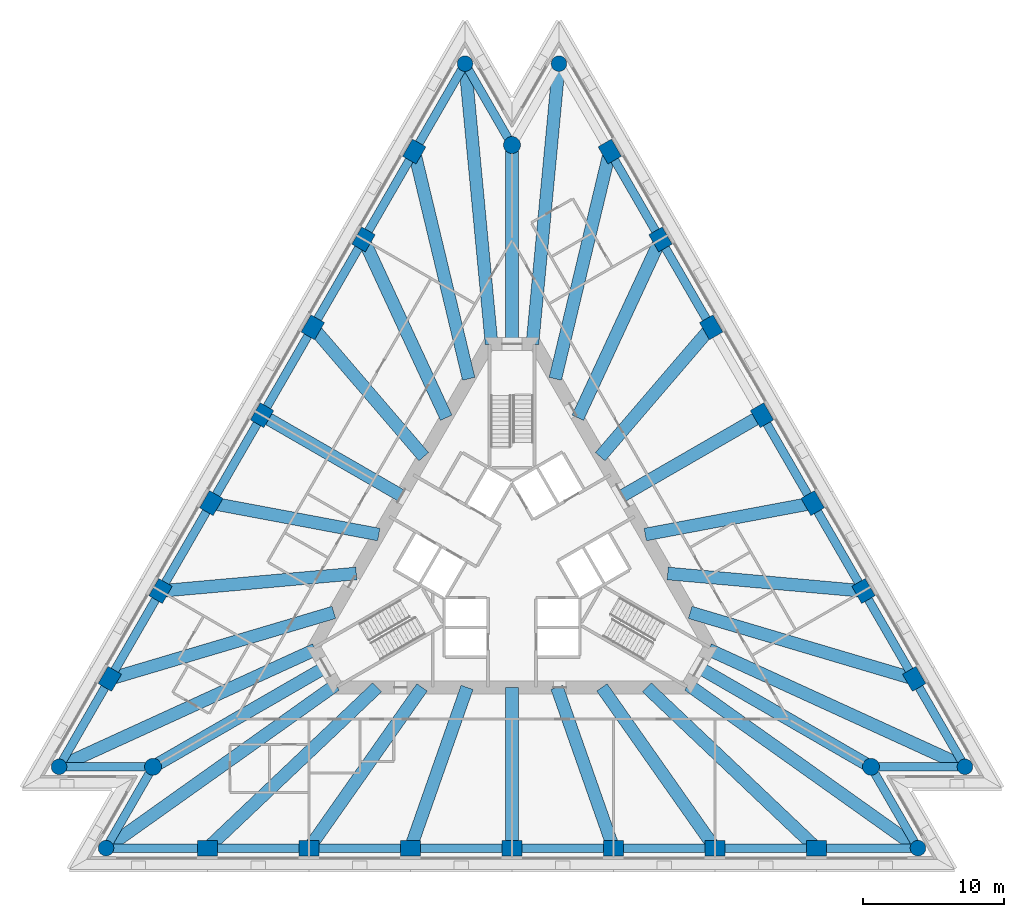
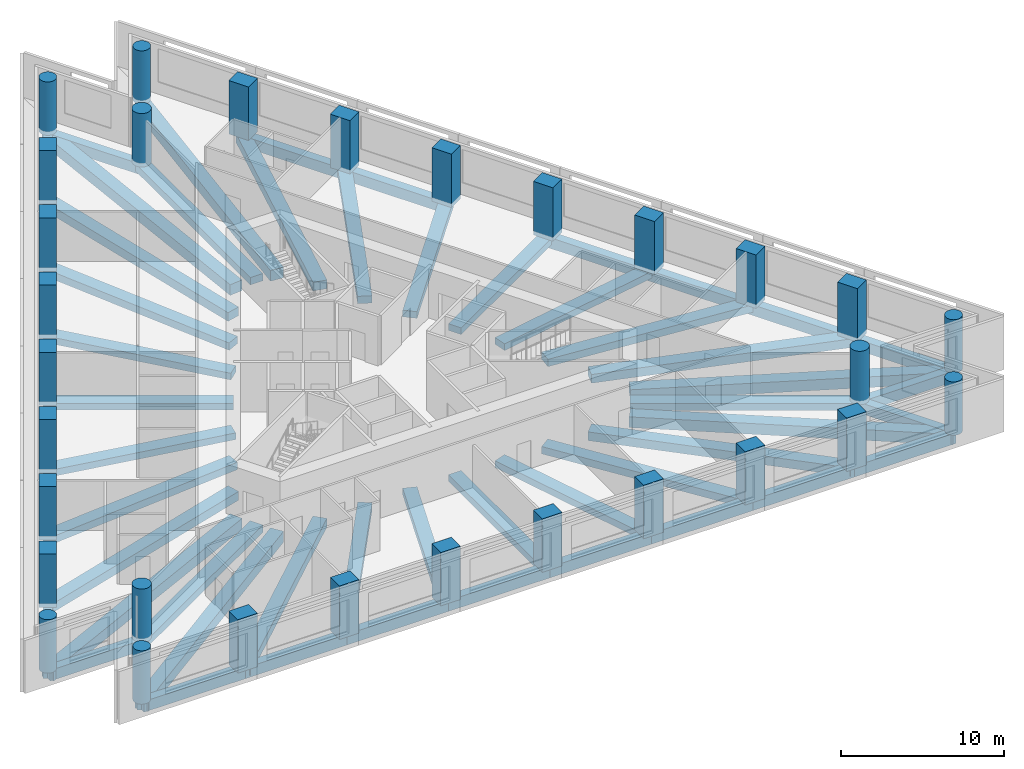
# One storey, part 1 of 11: 57 beams, 30 columns.
"""IFC4 building model written with IfcOpenShell, lengths in metres."""

from ifc_helpers import new_model, si_unit, direction, frame, origin, origin_2d, place, context, subcontext, project, spatial, rectangle, circle, extrude, material, material_profile, profile_set, type_object, element, save


model = new_model("IFC4")

# Units and contexts
model_context = context("Model", 3, precision=1e-05, world=origin(), true_north=direction((0.0, 1.0)))
body_context = subcontext(model_context, "Body", "Model", "MODEL_VIEW")
ifc_project = project(units=[si_unit("LENGTHUNIT", "METRE"), si_unit("AREAUNIT", "SQUARE_METRE"), si_unit("VOLUMEUNIT", "CUBIC_METRE"), si_unit("PLANEANGLEUNIT", "RADIAN"), si_unit("MASSUNIT", "GRAM", prefix="KILO")], contexts=[model_context])

# Site, building, storey
site_placement = place(None, origin())
site = spatial("IfcSite", under=ifc_project, at=site_placement, CompositionType="ELEMENT")
building_placement = place(site_placement, origin())
building = spatial("IfcBuilding", under=site, at=building_placement, Name="Triada Interchange Tower", CompositionType="ELEMENT")
storey_placement = place(building_placement, frame((0.0, 0.0, 83.300048828125)))
storey = spatial("IfcBuildingStorey", under=building, at=storey_placement, Name="L18", CompositionType="ELEMENT", Elevation=83.300048828125)

# Columns
ifc_material_1 = material(Name="Concrete C70/85", Category="concrete")
ifc_material_profile_1 = material_profile(ifc_material_1, rectangle(XDim=1.39990234375, YDim=1.10009765625, at=origin_2d()), Name="RC 1400x1100")
ifc_profile_set_1 = profile_set([ifc_material_profile_1], Name="Concrete C70/85")
column_type_1 = type_object("IfcColumnType", Name="Column A face RC 1400x1100", PredefinedType="COLUMN", material=ifc_profile_set_1)
for number, where, z_axis, x_axis, name in (
    (1, (-6.9169921875, 28.8779296875, -0.300048828125), (0.0, 0.0, 1.0), (0.5, 0.866025403784, 0.0), "Column CA02 L18"),
    (2, (-10.508056640625, 22.656982421875, -0.300048828125), (0.0, 0.0, 1.0), (0.5, 0.866025403784, 0.0), "Column CA03 L18"),
    (3, (-14.10009765625, 16.43603515625, -0.300048828125), (0.0, 0.0, 1.0), (0.5, 0.866025403784, 0.0), "Column CA04 L18"),
    (4, (-17.69189453125, 10.214111328125, -0.300048828125), (0.0, 0.0, 1.0), (0.5, 0.866025403784, 0.0), "Column CA05 L18"),
    (5, (-21.283935546875, 3.992919921875, -0.300048828125), (0.0, 0.0, 1.0), (0.5, 0.866025403784, 0.0), "Column CA06 L18"),
    (6, (-24.8759765625, -2.22802734375, -0.300048828125), (0.0, 0.0, 1.0), (0.5, 0.866025403784, 0.0), "Column CA07 L18"),
    (7, (-28.467041015625, -8.448974609375, -0.300048828125), (0.0, 0.0, 1.0), (0.5, 0.866025403784, 0.0), "Column CA08 L18"),
    (8, (-21.550048828125, -20.428955078125, -0.300048828125), (0.0, 0.0, 1.0), (1.0, 0.0, 0.0), "Column CA11 L18"),
    (9, (-14.366943359375, -20.428955078125, -0.300048828125), (0.0, 0.0, 1.0), (1.0, 0.0, 0.0), "Column CA12 L18"),
    (10, (-7.18408203125, -20.428955078125, -0.300048828125), (0.0, 0.0, 1.0), (1.0, 0.0, 0.0), "Column CA13 L18"),
    (11, (0.0, -20.428955078125, -0.300048828125), (0.0, 0.0, 1.0), (1.0, 0.0, 0.0), "Column CA14 L18"),
    (12, (7.18408203125, -20.428955078125, -0.300048828125), (0.0, 0.0, 1.0), (1.0, 0.0, 0.0), "Column CA15 L18"),
    (13, (14.366943359375, -20.428955078125, -0.300048828125), (0.0, 0.0, 1.0), (1.0, 0.0, 0.0), "Column CA16 L18"),
    (14, (21.550048828125, -20.428955078125, -0.300048828125), (0.0, 0.0, 1.0), (1.0, 0.0, 0.0), "Column CA17 L18"),
    (15, (28.467041015625, -8.448974609375, -0.300048828125), (0.0, 0.0, 1.0), (-0.5, 0.866025403784, 0.0), "Column CA20 L18"),
    (16, (24.8759765625, -2.22802734375, -0.300048828125), (0.0, 0.0, 1.0), (-0.5, 0.866025403784, 0.0), "Column CA21 L18"),
    (17, (21.283935546875, 3.992919921875, -0.300048828125), (0.0, 0.0, 1.0), (-0.5, 0.866025403784, 0.0), "Column CA22 L18"),
    (18, (17.69189453125, 10.214111328125, -0.300048828125), (0.0, 0.0, 1.0), (-0.5, 0.866025403784, 0.0), "Column CA23 L18"),
    (19, (14.10009765625, 16.43603515625, -0.300048828125), (0.0, 0.0, 1.0), (-0.5, 0.866025403784, 0.0), "Column CA24 L18"),
    (20, (10.508056640625, 22.656982421875, -0.300048828125), (0.0, 0.0, 1.0), (-0.5, 0.866025403784, 0.0), "Column CA25 L18"),
    (21, (6.9169921875, 28.8779296875, -0.300048828125), (0.0, 0.0, 1.0), (-0.5, 0.866025403784, 0.0), "Column CA26 L18"),
):
    element("IfcColumn", number, at=place(storey_placement, frame(where, z_axis=z_axis, x_axis=x_axis)), inside=storey, type_object=column_type_1, Name=name, PredefinedType="COLUMN", context=body_context, shape_type="SweptSolid", body=[
        extrude(rectangle(XDim=1.39990234375, YDim=1.10009765625, at=origin_2d()), origin(), (0.0, 0.0, 1.0), 4.0),
    ])
ifc_material_profile_2 = material_profile(ifc_material_1, circle(Radius=0.550048828125, at=origin_2d()), Name="RC D1100")
ifc_profile_set_2 = profile_set([ifc_material_profile_2], Name="Concrete C70/85")
column_type_2 = type_object("IfcColumnType", Name="End column A RC D1100", PredefinedType="COLUMN", material=ifc_profile_set_2)
for number, where, z_axis, x_axis, name in (
    (22, (-3.324951171875, 35.09912109375, -0.300048828125), (0.0, 0.0, 1.0), (0.5, 0.866025403784, 0.0), "Column CA01 L18"),
    (23, (-32.05908203125, -14.669921875, -0.300048828125), (0.0, 0.0, 1.0), (0.5, 0.866025403784, 0.0), "Column CA09 L18"),
    (24, (-28.73388671875, -20.428955078125, -0.300048828125), (0.0, 0.0, 1.0), (1.0, 0.0, 0.0), "Column CA10 L18"),
    (25, (28.73388671875, -20.428955078125, -0.300048828125), (0.0, 0.0, 1.0), (1.0, 0.0, 0.0), "Column CA18 L18"),
    (26, (32.05908203125, -14.669921875, -0.300048828125), (0.0, 0.0, 1.0), (-0.5, 0.866025403784, 0.0), "Column CA19 L18"),
    (27, (3.324951171875, 35.09912109375, -0.300048828125), (0.0, 0.0, 1.0), (-0.5, 0.866025403784, 0.0), "Column CA27 L18"),
):
    element("IfcColumn", number, at=place(storey_placement, frame(where, z_axis=z_axis, x_axis=x_axis)), inside=storey, type_object=column_type_2, Name=name, PredefinedType="COLUMN", context=body_context, shape_type="SweptSolid", body=[
        extrude(circle(Radius=0.550048828125, at=origin_2d()), origin(), (0.0, 0.0, 1.0), 4.0),
    ])
ifc_material_profile_3 = material_profile(ifc_material_1, circle(Radius=0.60009765625, at=origin_2d()), Name="RC D1200")
ifc_profile_set_3 = profile_set([ifc_material_profile_3], Name="Concrete C70/85")
column_type_3 = type_object("IfcColumnType", Name="Mega column A RC D1200", PredefinedType="COLUMN", material=ifc_profile_set_3)
for number, where, z_axis, x_axis, name in (
    (28, (0.0, 29.340087890625, -0.300048828125), (0.0, 0.0, 1.0), (1.0, 0.0, 0.0), "Column MA1 L18"),
    (29, (-25.408935546875, -14.669921875, -0.300048828125), (0.0, 0.0, 1.0), (1.0, 0.0, 0.0), "Column MA2 L18"),
    (30, (25.408935546875, -14.669921875, -0.300048828125), (0.0, 0.0, 1.0), (1.0, 0.0, 0.0), "Column MA3 L18"),
):
    element("IfcColumn", number, at=place(storey_placement, frame(where, z_axis=z_axis, x_axis=x_axis)), inside=storey, type_object=column_type_3, Name=name, PredefinedType="COLUMN", context=body_context, shape_type="SweptSolid", body=[
        extrude(circle(Radius=0.60009765625, at=origin_2d()), origin(), (0.0, 0.0, 1.0), 4.0),
    ])

# Beams
ifc_material_2 = material(Name="Concrete C50/60", Category="concrete")
ifc_material_profile_4 = material_profile(ifc_material_2, rectangle(XDim=0.89990234375, YDim=0.5, at=origin_2d()), Name="RC 900x500")
ifc_profile_set_4 = profile_set([ifc_material_profile_4], Name="Concrete C50/60")
beam_type_1 = type_object("IfcBeamType", Name="Radial band beam A RC 900x500", PredefinedType="BEAM", material=ifc_profile_set_4)
beam_1_placement = place(storey_placement, frame((-14.10009765625, 16.43603515625, -0.550048828125), z_axis=(0.651118009222, -0.758976506927, 0.0), x_axis=(0.758976506927, 0.651118009222, 0.0)))
element("IfcBeam", 31, at=beam_1_placement, inside=storey, type_object=beam_type_1, Name="Radial band beam BA04 L18", PredefinedType="BEAM", context=body_context, shape_type="SweptSolid", body=[
    extrude(rectangle(XDim=0.89990234375, YDim=0.5, at=origin_2d()), origin(), (0.0, 0.0, 1.0), 12.062255859375),
])
beam_2_placement = place(storey_placement, frame((-17.69189453125, 10.214111328125, -0.550048828125), z_axis=(0.866025511234, -0.499999813892, 0.0), x_axis=(0.499999813892, 0.866025511234, 0.0)))
element("IfcBeam", 32, at=beam_2_placement, inside=storey, type_object=beam_type_1, Name="Radial band beam BA05 L18", PredefinedType="BEAM", context=body_context, shape_type="SweptSolid", body=[
    extrude(rectangle(XDim=0.89990234375, YDim=0.5, at=origin_2d()), origin(), (0.0, 0.0, 1.0), 11.37841796875),
])
beam_3_placement = place(storey_placement, frame((-21.283935546875, 3.992919921875, -0.550048828125), z_axis=(0.982856143277, -0.184374080669, 0.0), x_axis=(0.184374080669, 0.982856143277, 0.0)))
element("IfcBeam", 33, at=beam_3_placement, inside=storey, type_object=beam_type_1, Name="Radial band beam BA06 L18", PredefinedType="BEAM", context=body_context, shape_type="SweptSolid", body=[
    extrude(rectangle(XDim=0.89990234375, YDim=0.5, at=origin_2d()), origin(), (0.0, 0.0, 1.0), 12.061767578125),
])
beam_4_placement = place(storey_placement, frame((-7.18408203125, -20.428955078125, -0.550048828125), z_axis=(0.33179614562, 0.943351110537, 0.0), x_axis=(-0.943351110537, 0.33179614562, 0.0)))
element("IfcBeam", 34, at=beam_4_placement, inside=storey, type_object=beam_type_1, Name="Radial band beam BA14 L18", PredefinedType="BEAM", context=body_context, shape_type="SweptSolid", body=[
    extrude(rectangle(XDim=0.89990234375, YDim=0.5, at=origin_2d()), origin(), (0.0, 0.0, 1.0), 12.062255859375),
])
beam_5_placement = place(storey_placement, frame((0.0, -20.428955078125, -0.550048828125), z_axis=(0.0, 1.0, 0.0), x_axis=(-1.0, 0.0, 0.0)))
element("IfcBeam", 35, at=beam_5_placement, inside=storey, type_object=beam_type_1, Name="Radial band beam BA15 L18", PredefinedType="BEAM", context=body_context, shape_type="SweptSolid", body=[
    extrude(rectangle(XDim=0.89990234375, YDim=0.5, at=origin_2d()), origin(), (0.0, 0.0, 1.0), 11.37890625),
])
beam_6_placement = place(storey_placement, frame((7.18408203125, -20.428955078125, -0.550048828125), z_axis=(-0.33179614562, 0.943351110537, 0.0), x_axis=(-0.943351110537, -0.33179614562, 0.0)))
element("IfcBeam", 36, at=beam_6_placement, inside=storey, type_object=beam_type_1, Name="Radial band beam BA16 L18", PredefinedType="BEAM", context=body_context, shape_type="SweptSolid", body=[
    extrude(rectangle(XDim=0.89990234375, YDim=0.5, at=origin_2d()), origin(), (0.0, 0.0, 1.0), 12.062255859375),
])
beam_7_placement = place(storey_placement, frame((21.283935546875, 3.992919921875, -0.550048828125), z_axis=(-0.982856143277, -0.184374080669, 0.0), x_axis=(0.184374080669, -0.982856143277, 0.0)))
element("IfcBeam", 37, at=beam_7_placement, inside=storey, type_object=beam_type_1, Name="Radial band beam BA24 L18", PredefinedType="BEAM", context=body_context, shape_type="SweptSolid", body=[
    extrude(rectangle(XDim=0.89990234375, YDim=0.5, at=origin_2d()), origin(), (0.0, 0.0, 1.0), 12.061767578125),
])
beam_8_placement = place(storey_placement, frame((17.69189453125, 10.214111328125, -0.550048828125), z_axis=(-0.866025511234, -0.499999813892, 0.0), x_axis=(0.499999813892, -0.866025511234, 0.0)))
element("IfcBeam", 38, at=beam_8_placement, inside=storey, type_object=beam_type_1, Name="Radial band beam BA25 L18", PredefinedType="BEAM", context=body_context, shape_type="SweptSolid", body=[
    extrude(rectangle(XDim=0.89990234375, YDim=0.5, at=origin_2d()), origin(), (0.0, 0.0, 1.0), 11.37841796875),
])
beam_9_placement = place(storey_placement, frame((14.10009765625, 16.43603515625, -0.550048828125), z_axis=(-0.651118009222, -0.758976506927, 0.0), x_axis=(0.758976506927, -0.651118009222, 0.0)))
element("IfcBeam", 39, at=beam_9_placement, inside=storey, type_object=beam_type_1, Name="Radial band beam BA26 L18", PredefinedType="BEAM", context=body_context, shape_type="SweptSolid", body=[
    extrude(rectangle(XDim=0.89990234375, YDim=0.5, at=origin_2d()), origin(), (0.0, 0.0, 1.0), 12.062255859375),
])
ifc_material_profile_5 = material_profile(ifc_material_2, rectangle(XDim=0.89990234375, YDim=0.550048828125, at=origin_2d()), Name="RC 900x550")
ifc_profile_set_5 = profile_set([ifc_material_profile_5], Name="Concrete C50/60")
beam_type_2 = type_object("IfcBeamType", Name="Radial band beam A RC 900x550", PredefinedType="BEAM", material=ifc_profile_set_5)
beam_10_placement = place(storey_placement, frame((-10.508056640625, 22.656982421875, -0.574951171875), z_axis=(0.420744654852, -0.907179108783, 0.0), x_axis=(0.907179108783, 0.420744654852, 0.0)))
element("IfcBeam", 40, at=beam_10_placement, inside=storey, type_object=beam_type_2, Name="Radial band beam BA03 L18", PredefinedType="BEAM", context=body_context, shape_type="SweptSolid", body=[
    extrude(rectangle(XDim=0.89990234375, YDim=0.550048828125, at=origin_2d()), origin(), (0.0, 0.0, 1.0), 13.9111328125),
])
beam_11_placement = place(storey_placement, frame((-24.8759765625, -2.22802734375, -0.574951171875), z_axis=(0.996013294925, 0.089204912043, 0.0), x_axis=(-0.089204912043, 0.996013294925, 0.0)))
element("IfcBeam", 41, at=beam_11_placement, inside=storey, type_object=beam_type_2, Name="Radial band beam BA07 L18", PredefinedType="BEAM", context=body_context, shape_type="SweptSolid", body=[
    extrude(rectangle(XDim=0.89990234375, YDim=0.550048828125, at=origin_2d()), origin(), (0.0, 0.0, 1.0), 13.911376953125),
])
beam_12_placement = place(storey_placement, frame((-25.408935546875, -14.669921875, -0.574951171875), z_axis=(0.866020820126, 0.500007939045, 0.0), x_axis=(-0.500007939045, 0.866020820126, 0.0)))
element("IfcBeam", 42, at=beam_12_placement, inside=storey, type_object=beam_type_2, Name="Radial band beam BA10 L18", PredefinedType="BEAM", context=body_context, shape_type="SweptSolid", body=[
    extrude(rectangle(XDim=0.89990234375, YDim=0.550048828125, at=origin_2d()), origin(), (0.0, 0.0, 1.0), 14.089599609375),
])
for number, where, z_axis, x_axis, name in (
    (43, (-14.366943359375, -20.428955078125, -0.574951171875), (0.575232535811, 0.817989932545, 0.0), (-0.817989932545, 0.575232535811, 0.0), "Radial band beam BA13 L18"),
    (44, (14.366943359375, -20.428955078125, -0.574951171875), (-0.575232535811, 0.817989932545, 0.0), (-0.817989932545, -0.575232535811, 0.0), "Radial band beam BA17 L18"),
):
    element("IfcBeam", number, at=place(storey_placement, frame(where, z_axis=z_axis, x_axis=x_axis)), inside=storey, type_object=beam_type_2, Name=name, PredefinedType="BEAM", context=body_context, shape_type="SweptSolid", body=[
        extrude(rectangle(XDim=0.89990234375, YDim=0.550048828125, at=origin_2d()), origin(), (0.0, 0.0, 1.0), 13.910888671875),
    ])
beam_13_placement = place(storey_placement, frame((25.408935546875, -14.669921875, -0.574951171875), z_axis=(-0.866020820126, 0.500007939045, 0.0), x_axis=(-0.500007939045, -0.866020820126, 0.0)))
element("IfcBeam", 45, at=beam_13_placement, inside=storey, type_object=beam_type_2, Name="Radial band beam BA20 L18", PredefinedType="BEAM", context=body_context, shape_type="SweptSolid", body=[
    extrude(rectangle(XDim=0.89990234375, YDim=0.550048828125, at=origin_2d()), origin(), (0.0, 0.0, 1.0), 14.089599609375),
])
beam_14_placement = place(storey_placement, frame((24.8759765625, -2.22802734375, -0.574951171875), z_axis=(-0.996013294925, 0.089204912043, 0.0), x_axis=(-0.089204912043, -0.996013294925, 0.0)))
element("IfcBeam", 46, at=beam_14_placement, inside=storey, type_object=beam_type_2, Name="Radial band beam BA23 L18", PredefinedType="BEAM", context=body_context, shape_type="SweptSolid", body=[
    extrude(rectangle(XDim=0.89990234375, YDim=0.550048828125, at=origin_2d()), origin(), (0.0, 0.0, 1.0), 13.911376953125),
])
beam_15_placement = place(storey_placement, frame((10.508056640625, 22.656982421875, -0.574951171875), z_axis=(-0.420744654852, -0.907179108783, 0.0), x_axis=(0.907179108783, -0.420744654852, 0.0)))
element("IfcBeam", 47, at=beam_15_placement, inside=storey, type_object=beam_type_2, Name="Radial band beam BA27 L18", PredefinedType="BEAM", context=body_context, shape_type="SweptSolid", body=[
    extrude(rectangle(XDim=0.89990234375, YDim=0.550048828125, at=origin_2d()), origin(), (0.0, 0.0, 1.0), 13.9111328125),
])
beam_16_placement = place(storey_placement, frame((0.0, 29.340087890625, -0.574951171875), z_axis=(0.0, -1.0, 0.0), x_axis=(1.0, 0.0, 0.0)))
element("IfcBeam", 48, at=beam_16_placement, inside=storey, type_object=beam_type_2, Name="Radial band beam BA30 L18", PredefinedType="BEAM", context=body_context, shape_type="SweptSolid", body=[
    extrude(rectangle(XDim=0.89990234375, YDim=0.550048828125, at=origin_2d()), origin(), (0.0, 0.0, 1.0), 14.090087890625),
])
ifc_material_profile_6 = material_profile(ifc_material_2, rectangle(XDim=0.89990234375, YDim=0.64990234375, at=origin_2d()), Name="RC 900x650")
ifc_profile_set_6 = profile_set([ifc_material_profile_6], Name="Concrete C50/60")
beam_type_3 = type_object("IfcBeamType", Name="Radial band beam A RC 900x650", PredefinedType="BEAM", material=ifc_profile_set_6)
beam_17_placement = place(storey_placement, frame((-6.9169921875, 28.8779296875, -0.625), z_axis=(0.232938621419, -0.972491438858, 0.0), x_axis=(0.972491438858, 0.232938621419, 0.0)))
element("IfcBeam", 49, at=beam_17_placement, inside=storey, type_object=beam_type_3, Name="Radial band beam BA02 L18", PredefinedType="BEAM", context=body_context, shape_type="SweptSolid", body=[
    extrude(rectangle(XDim=0.89990234375, YDim=0.64990234375, at=origin_2d()), origin(), (0.0, 0.0, 1.0), 16.541015625),
])
beam_18_placement = place(storey_placement, frame((-28.467041015625, -8.448974609375, -0.625), z_axis=(0.958666370903, 0.284532580383, 0.0), x_axis=(-0.284532580383, 0.958666370903, 0.0)))
element("IfcBeam", 50, at=beam_18_placement, inside=storey, type_object=beam_type_3, Name="Radial band beam BA08 L18", PredefinedType="BEAM", context=body_context, shape_type="SweptSolid", body=[
    extrude(rectangle(XDim=0.89990234375, YDim=0.64990234375, at=origin_2d()), origin(), (0.0, 0.0, 1.0), 16.53955078125),
])
for number, where, z_axis, x_axis, name in (
    (51, (-21.550048828125, -20.428955078125, -0.625), (0.725719910924, 0.687990269472, 0.0), (-0.687990269472, 0.725719910924, 0.0), "Radial band beam BA12 L18"),
    (52, (21.550048828125, -20.428955078125, -0.625), (-0.725719910924, 0.687990269472, 0.0), (-0.687990269472, -0.725719910924, 0.0), "Radial band beam BA18 L18"),
):
    element("IfcBeam", number, at=place(storey_placement, frame(where, z_axis=z_axis, x_axis=x_axis)), inside=storey, type_object=beam_type_3, Name=name, PredefinedType="BEAM", context=body_context, shape_type="SweptSolid", body=[
        extrude(rectangle(XDim=0.89990234375, YDim=0.64990234375, at=origin_2d()), origin(), (0.0, 0.0, 1.0), 16.539306640625),
    ])
beam_19_placement = place(storey_placement, frame((28.467041015625, -8.448974609375, -0.625), z_axis=(-0.958666370903, 0.284532580383, 0.0), x_axis=(-0.284532580383, -0.958666370903, 0.0)))
element("IfcBeam", 53, at=beam_19_placement, inside=storey, type_object=beam_type_3, Name="Radial band beam BA22 L18", PredefinedType="BEAM", context=body_context, shape_type="SweptSolid", body=[
    extrude(rectangle(XDim=0.89990234375, YDim=0.64990234375, at=origin_2d()), origin(), (0.0, 0.0, 1.0), 16.53955078125),
])
beam_20_placement = place(storey_placement, frame((6.9169921875, 28.8779296875, -0.625), z_axis=(-0.232938621419, -0.972491438858, 0.0), x_axis=(0.972491438858, -0.232938621419, 0.0)))
element("IfcBeam", 54, at=beam_20_placement, inside=storey, type_object=beam_type_3, Name="Radial band beam BA28 L18", PredefinedType="BEAM", context=body_context, shape_type="SweptSolid", body=[
    extrude(rectangle(XDim=0.89990234375, YDim=0.64990234375, at=origin_2d()), origin(), (0.0, 0.0, 1.0), 16.541015625),
])
ifc_material_profile_7 = material_profile(ifc_material_2, rectangle(XDim=0.89990234375, YDim=0.800048828125, at=origin_2d()), Name="RC 900x800")
ifc_profile_set_7 = profile_set([ifc_material_profile_7], Name="Concrete C50/60")
beam_type_4 = type_object("IfcBeamType", Name="Radial band beam A RC 900x800", PredefinedType="BEAM", material=ifc_profile_set_7)
for number, where, z_axis, x_axis, name in (
    (55, (-3.324951171875, 35.09912109375, -0.699951171875), (0.09428669852, -0.995545086112, 0.0), (0.995545086112, 0.09428669852, 0.0), "Radial band beam BA01 L18"),
    (56, (-32.05908203125, -14.669921875, -0.699951171875), (0.909325724629, 0.416084999163, 0.0), (-0.416084999163, 0.909325724629, 0.0), "Radial band beam BA09 L18"),
):
    element("IfcBeam", number, at=place(storey_placement, frame(where, z_axis=z_axis, x_axis=x_axis)), inside=storey, type_object=beam_type_4, Name=name, PredefinedType="BEAM", context=body_context, shape_type="SweptSolid", body=[
        extrude(rectangle(XDim=0.89990234375, YDim=0.800048828125, at=origin_2d()), origin(), (0.0, 0.0, 1.0), 19.93798828125),
    ])
for number, where, z_axis, x_axis, name in (
    (57, (-28.73388671875, -20.428955078125, -0.699951171875), (0.815016363513, 0.579437940772, 0.0), (-0.579437940772, 0.815016363513, 0.0), "Radial band beam BA11 L18"),
    (58, (28.73388671875, -20.428955078125, -0.699951171875), (-0.815016363513, 0.579437940772, 0.0), (-0.579437940772, -0.815016363513, 0.0), "Radial band beam BA19 L18"),
):
    element("IfcBeam", number, at=place(storey_placement, frame(where, z_axis=z_axis, x_axis=x_axis)), inside=storey, type_object=beam_type_4, Name=name, PredefinedType="BEAM", context=body_context, shape_type="SweptSolid", body=[
        extrude(rectangle(XDim=0.89990234375, YDim=0.800048828125, at=origin_2d()), origin(), (0.0, 0.0, 1.0), 19.938232421875),
    ])
for number, where, z_axis, x_axis, name in (
    (59, (32.05908203125, -14.669921875, -0.699951171875), (-0.909325724629, 0.416084999163, 0.0), (-0.416084999163, -0.909325724629, 0.0), "Radial band beam BA21 L18"),
    (60, (3.324951171875, 35.09912109375, -0.699951171875), (-0.09428669852, -0.995545086112, 0.0), (0.995545086112, -0.09428669852, 0.0), "Radial band beam BA29 L18"),
):
    element("IfcBeam", number, at=place(storey_placement, frame(where, z_axis=z_axis, x_axis=x_axis)), inside=storey, type_object=beam_type_4, Name=name, PredefinedType="BEAM", context=body_context, shape_type="SweptSolid", body=[
        extrude(rectangle(XDim=0.89990234375, YDim=0.800048828125, at=origin_2d()), origin(), (0.0, 0.0, 1.0), 19.93798828125),
    ])
ifc_material_profile_8 = material_profile(ifc_material_2, rectangle(XDim=0.60009765625, YDim=0.800048828125, at=origin_2d()), Name="RC 600x800")
ifc_profile_set_8 = profile_set([ifc_material_profile_8], Name="Concrete C50/60")
beam_type_5 = type_object("IfcBeamType", Name="Spandrel beam A RC 600x800", PredefinedType="BEAM", material=ifc_profile_set_8)
beam_21_placement = place(storey_placement, frame((-3.324951171875, 35.09912109375, -0.699951171875), z_axis=(-0.500024480384, -0.866011269567, 0.0), x_axis=(0.866011269567, -0.500024480384, 0.0)))
element("IfcBeam", 61, at=beam_21_placement, inside=storey, type_object=beam_type_5, Name="Spandrel beam EA01 L18", PredefinedType="BEAM", context=body_context, shape_type="SweptSolid", body=[
    extrude(rectangle(XDim=0.60009765625, YDim=0.800048828125, at=origin_2d()), origin(), (0.0, 0.0, 1.0), 7.183837890625),
])
beam_22_placement = place(storey_placement, frame((-6.9169921875, 28.8779296875, -0.699951171875), z_axis=(-0.49993723354, -0.866061638985, 0.0), x_axis=(0.866061638985, -0.49993723354, 0.0)))
element("IfcBeam", 62, at=beam_22_placement, inside=storey, type_object=beam_type_5, Name="Spandrel beam EA02 L18", PredefinedType="BEAM", context=body_context, shape_type="SweptSolid", body=[
    extrude(rectangle(XDim=0.60009765625, YDim=0.800048828125, at=origin_2d()), origin(), (0.0, 0.0, 1.0), 7.18310546875),
])
beam_23_placement = place(storey_placement, frame((-10.508056640625, 22.656982421875, -0.699951171875), z_axis=(-0.500039197255, -0.866002772056, 0.0), x_axis=(0.866002772056, -0.500039197255, 0.0)))
element("IfcBeam", 63, at=beam_23_placement, inside=storey, type_object=beam_type_5, Name="Spandrel beam EA03 L18", PredefinedType="BEAM", context=body_context, shape_type="SweptSolid", body=[
    extrude(rectangle(XDim=0.60009765625, YDim=0.800048828125, at=origin_2d()), origin(), (0.0, 0.0, 1.0), 7.18359375),
])
beam_24_placement = place(storey_placement, frame((-14.10009765625, 16.43603515625, -0.699951171875), z_axis=(-0.499954846121, -0.866051471819, 0.0), x_axis=(0.866051471819, -0.499954846121, 0.0)))
element("IfcBeam", 64, at=beam_24_placement, inside=storey, type_object=beam_type_5, Name="Spandrel beam EA04 L18", PredefinedType="BEAM", context=body_context, shape_type="SweptSolid", body=[
    extrude(rectangle(XDim=0.60009765625, YDim=0.800048828125, at=origin_2d()), origin(), (0.0, 0.0, 1.0), 7.184326171875),
])
beam_25_placement = place(storey_placement, frame((-17.69189453125, 10.214111328125, -0.699951171875), z_axis=(-0.500024480384, -0.866011269567, 0.0), x_axis=(0.866011269567, -0.500024480384, 0.0)))
element("IfcBeam", 65, at=beam_25_placement, inside=storey, type_object=beam_type_5, Name="Spandrel beam EA05 L18", PredefinedType="BEAM", context=body_context, shape_type="SweptSolid", body=[
    extrude(rectangle(XDim=0.60009765625, YDim=0.800048828125, at=origin_2d()), origin(), (0.0, 0.0, 1.0), 7.183837890625),
])
beam_26_placement = place(storey_placement, frame((-21.283935546875, 3.992919921875, -0.699951171875), z_axis=(-0.500039197255, -0.866002772056, 0.0), x_axis=(0.866002772056, -0.500039197255, 0.0)))
element("IfcBeam", 66, at=beam_26_placement, inside=storey, type_object=beam_type_5, Name="Spandrel beam EA06 L18", PredefinedType="BEAM", context=body_context, shape_type="SweptSolid", body=[
    extrude(rectangle(XDim=0.60009765625, YDim=0.800048828125, at=origin_2d()), origin(), (0.0, 0.0, 1.0), 7.18359375),
])
beam_27_placement = place(storey_placement, frame((-24.8759765625, -2.22802734375, -0.699951171875), z_axis=(-0.49993723354, -0.866061638985, 0.0), x_axis=(0.866061638985, -0.49993723354, 0.0)))
element("IfcBeam", 67, at=beam_27_placement, inside=storey, type_object=beam_type_5, Name="Spandrel beam EA07 L18", PredefinedType="BEAM", context=body_context, shape_type="SweptSolid", body=[
    extrude(rectangle(XDim=0.60009765625, YDim=0.800048828125, at=origin_2d()), origin(), (0.0, 0.0, 1.0), 7.18310546875),
])
beam_28_placement = place(storey_placement, frame((-28.467041015625, -8.448974609375, -0.699951171875), z_axis=(-0.500039197255, -0.866002772056, 0.0), x_axis=(0.866002772056, -0.500039197255, 0.0)))
element("IfcBeam", 68, at=beam_28_placement, inside=storey, type_object=beam_type_5, Name="Spandrel beam EA08 L18", PredefinedType="BEAM", context=body_context, shape_type="SweptSolid", body=[
    extrude(rectangle(XDim=0.60009765625, YDim=0.800048828125, at=origin_2d()), origin(), (0.0, 0.0, 1.0), 7.18359375),
])
beam_29_placement = place(storey_placement, frame((-32.05908203125, -14.669921875, -0.699951171875), z_axis=(1.0, 0.0, 0.0), x_axis=(0.0, 1.0, 0.0)))
element("IfcBeam", 69, at=beam_29_placement, inside=storey, type_object=beam_type_5, Name="Spandrel beam EA09 L18", PredefinedType="BEAM", context=body_context, shape_type="SweptSolid", body=[
    extrude(rectangle(XDim=0.60009765625, YDim=0.800048828125, at=origin_2d()), origin(), (0.0, 0.0, 1.0), 6.650146484375),
])
beam_30_placement = place(storey_placement, frame((-25.408935546875, -14.669921875, -0.699951171875), z_axis=(-0.49999681972, -0.866027239912, 0.0), x_axis=(0.866027239912, -0.49999681972, 0.0)))
element("IfcBeam", 70, at=beam_30_placement, inside=storey, type_object=beam_type_5, Name="Spandrel beam EA10 L18", PredefinedType="BEAM", context=body_context, shape_type="SweptSolid", body=[
    extrude(rectangle(XDim=0.60009765625, YDim=0.800048828125, at=origin_2d()), origin(), (0.0, 0.0, 1.0), 6.64990234375),
])
beam_31_placement = place(storey_placement, frame((-28.73388671875, -20.428955078125, -0.699951171875), z_axis=(1.0, 0.0, 0.0), x_axis=(0.0, 1.0, 0.0)))
element("IfcBeam", 71, at=beam_31_placement, inside=storey, type_object=beam_type_5, Name="Spandrel beam EA11 L18", PredefinedType="BEAM", context=body_context, shape_type="SweptSolid", body=[
    extrude(rectangle(XDim=0.60009765625, YDim=0.800048828125, at=origin_2d()), origin(), (0.0, 0.0, 1.0), 7.183837890625),
])
beam_32_placement = place(storey_placement, frame((-21.550048828125, -20.428955078125, -0.699951171875), z_axis=(1.0, 0.0, 0.0), x_axis=(0.0, 1.0, 0.0)))
element("IfcBeam", 72, at=beam_32_placement, inside=storey, type_object=beam_type_5, Name="Spandrel beam EA12 L18", PredefinedType="BEAM", context=body_context, shape_type="SweptSolid", body=[
    extrude(rectangle(XDim=0.60009765625, YDim=0.800048828125, at=origin_2d()), origin(), (0.0, 0.0, 1.0), 7.18310546875),
])
beam_33_placement = place(storey_placement, frame((-14.366943359375, -20.428955078125, -0.699951171875), z_axis=(1.0, 0.0, 0.0), x_axis=(0.0, 1.0, 0.0)))
element("IfcBeam", 73, at=beam_33_placement, inside=storey, type_object=beam_type_5, Name="Spandrel beam EA13 L18", PredefinedType="BEAM", context=body_context, shape_type="SweptSolid", body=[
    extrude(rectangle(XDim=0.60009765625, YDim=0.800048828125, at=origin_2d()), origin(), (0.0, 0.0, 1.0), 7.182861328125),
])
for number, where, z_axis, x_axis, name in (
    (74, (-7.18408203125, -20.428955078125, -0.699951171875), (1.0, 0.0, 0.0), (0.0, 1.0, 0.0), "Spandrel beam EA14 L18"),
    (75, (0.0, -20.428955078125, -0.699951171875), (1.0, 0.0, 0.0), (0.0, 1.0, 0.0), "Spandrel beam EA15 L18"),
):
    element("IfcBeam", number, at=place(storey_placement, frame(where, z_axis=z_axis, x_axis=x_axis)), inside=storey, type_object=beam_type_5, Name=name, PredefinedType="BEAM", context=body_context, shape_type="SweptSolid", body=[
        extrude(rectangle(XDim=0.60009765625, YDim=0.800048828125, at=origin_2d()), origin(), (0.0, 0.0, 1.0), 7.18408203125),
    ])
beam_34_placement = place(storey_placement, frame((7.18408203125, -20.428955078125, -0.699951171875), z_axis=(1.0, 0.0, 0.0), x_axis=(0.0, 1.0, 0.0)))
element("IfcBeam", 76, at=beam_34_placement, inside=storey, type_object=beam_type_5, Name="Spandrel beam EA16 L18", PredefinedType="BEAM", context=body_context, shape_type="SweptSolid", body=[
    extrude(rectangle(XDim=0.60009765625, YDim=0.800048828125, at=origin_2d()), origin(), (0.0, 0.0, 1.0), 7.182861328125),
])
beam_35_placement = place(storey_placement, frame((14.366943359375, -20.428955078125, -0.699951171875), z_axis=(1.0, 0.0, 0.0), x_axis=(0.0, 1.0, 0.0)))
element("IfcBeam", 77, at=beam_35_placement, inside=storey, type_object=beam_type_5, Name="Spandrel beam EA17 L18", PredefinedType="BEAM", context=body_context, shape_type="SweptSolid", body=[
    extrude(rectangle(XDim=0.60009765625, YDim=0.800048828125, at=origin_2d()), origin(), (0.0, 0.0, 1.0), 7.18310546875),
])
beam_36_placement = place(storey_placement, frame((21.550048828125, -20.428955078125, -0.699951171875), z_axis=(1.0, 0.0, 0.0), x_axis=(0.0, 1.0, 0.0)))
element("IfcBeam", 78, at=beam_36_placement, inside=storey, type_object=beam_type_5, Name="Spandrel beam EA18 L18", PredefinedType="BEAM", context=body_context, shape_type="SweptSolid", body=[
    extrude(rectangle(XDim=0.60009765625, YDim=0.800048828125, at=origin_2d()), origin(), (0.0, 0.0, 1.0), 7.183837890625),
])
beam_37_placement = place(storey_placement, frame((28.73388671875, -20.428955078125, -0.699951171875), z_axis=(-0.49999681972, 0.866027239912, 0.0), x_axis=(-0.866027239912, -0.49999681972, 0.0)))
element("IfcBeam", 79, at=beam_37_placement, inside=storey, type_object=beam_type_5, Name="Spandrel beam EA19 L18", PredefinedType="BEAM", context=body_context, shape_type="SweptSolid", body=[
    extrude(rectangle(XDim=0.60009765625, YDim=0.800048828125, at=origin_2d()), origin(), (0.0, 0.0, 1.0), 6.64990234375),
])
beam_38_placement = place(storey_placement, frame((25.408935546875, -14.669921875, -0.699951171875), z_axis=(1.0, 0.0, 0.0), x_axis=(0.0, 1.0, 0.0)))
element("IfcBeam", 80, at=beam_38_placement, inside=storey, type_object=beam_type_5, Name="Spandrel beam EA20 L18", PredefinedType="BEAM", context=body_context, shape_type="SweptSolid", body=[
    extrude(rectangle(XDim=0.60009765625, YDim=0.800048828125, at=origin_2d()), origin(), (0.0, 0.0, 1.0), 6.650146484375),
])
beam_39_placement = place(storey_placement, frame((32.05908203125, -14.669921875, -0.699951171875), z_axis=(-0.500039197255, 0.866002772056, 0.0), x_axis=(-0.866002772056, -0.500039197255, 0.0)))
element("IfcBeam", 81, at=beam_39_placement, inside=storey, type_object=beam_type_5, Name="Spandrel beam EA21 L18", PredefinedType="BEAM", context=body_context, shape_type="SweptSolid", body=[
    extrude(rectangle(XDim=0.60009765625, YDim=0.800048828125, at=origin_2d()), origin(), (0.0, 0.0, 1.0), 7.18359375),
])
beam_40_placement = place(storey_placement, frame((28.467041015625, -8.448974609375, -0.699951171875), z_axis=(-0.49993723354, 0.866061638985, 0.0), x_axis=(-0.866061638985, -0.49993723354, 0.0)))
element("IfcBeam", 82, at=beam_40_placement, inside=storey, type_object=beam_type_5, Name="Spandrel beam EA22 L18", PredefinedType="BEAM", context=body_context, shape_type="SweptSolid", body=[
    extrude(rectangle(XDim=0.60009765625, YDim=0.800048828125, at=origin_2d()), origin(), (0.0, 0.0, 1.0), 7.18310546875),
])
beam_41_placement = place(storey_placement, frame((24.8759765625, -2.22802734375, -0.699951171875), z_axis=(-0.500039197255, 0.866002772056, 0.0), x_axis=(-0.866002772056, -0.500039197255, 0.0)))
element("IfcBeam", 83, at=beam_41_placement, inside=storey, type_object=beam_type_5, Name="Spandrel beam EA23 L18", PredefinedType="BEAM", context=body_context, shape_type="SweptSolid", body=[
    extrude(rectangle(XDim=0.60009765625, YDim=0.800048828125, at=origin_2d()), origin(), (0.0, 0.0, 1.0), 7.18359375),
])
beam_42_placement = place(storey_placement, frame((21.283935546875, 3.992919921875, -0.699951171875), z_axis=(-0.500024480384, 0.866011269567, 0.0), x_axis=(-0.866011269567, -0.500024480384, 0.0)))
element("IfcBeam", 84, at=beam_42_placement, inside=storey, type_object=beam_type_5, Name="Spandrel beam EA24 L18", PredefinedType="BEAM", context=body_context, shape_type="SweptSolid", body=[
    extrude(rectangle(XDim=0.60009765625, YDim=0.800048828125, at=origin_2d()), origin(), (0.0, 0.0, 1.0), 7.183837890625),
])
beam_43_placement = place(storey_placement, frame((14.10009765625, 16.43603515625, -0.699951171875), z_axis=(-0.500039197255, 0.866002772056, 0.0), x_axis=(-0.866002772056, -0.500039197255, 0.0)))
element("IfcBeam", 85, at=beam_43_placement, inside=storey, type_object=beam_type_5, Name="Spandrel beam EA26 L18", PredefinedType="BEAM", context=body_context, shape_type="SweptSolid", body=[
    extrude(rectangle(XDim=0.60009765625, YDim=0.800048828125, at=origin_2d()), origin(), (0.0, 0.0, 1.0), 7.18359375),
])
beam_44_placement = place(storey_placement, frame((10.508056640625, 22.656982421875, -0.699951171875), z_axis=(-0.49993723354, 0.866061638985, 0.0), x_axis=(-0.866061638985, -0.49993723354, 0.0)))
element("IfcBeam", 86, at=beam_44_placement, inside=storey, type_object=beam_type_5, Name="Spandrel beam EA27 L18", PredefinedType="BEAM", context=body_context, shape_type="SweptSolid", body=[
    extrude(rectangle(XDim=0.60009765625, YDim=0.800048828125, at=origin_2d()), origin(), (0.0, 0.0, 1.0), 7.18310546875),
])
beam_45_placement = place(storey_placement, frame((0.0, 29.340087890625, -0.699951171875), z_axis=(-0.49999681972, 0.866027239912, 0.0), x_axis=(-0.866027239912, -0.49999681972, 0.0)))
element("IfcBeam", 87, at=beam_45_placement, inside=storey, type_object=beam_type_5, Name="Spandrel beam EA30 L18", PredefinedType="BEAM", context=body_context, shape_type="SweptSolid", body=[
    extrude(rectangle(XDim=0.60009765625, YDim=0.800048828125, at=origin_2d()), origin(), (0.0, 0.0, 1.0), 6.64990234375),
])

save(model, "model.ifc")
